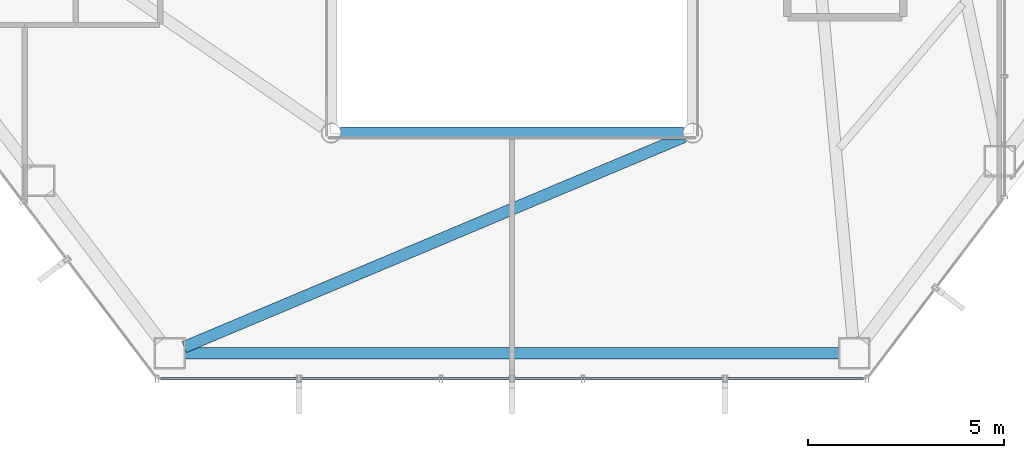
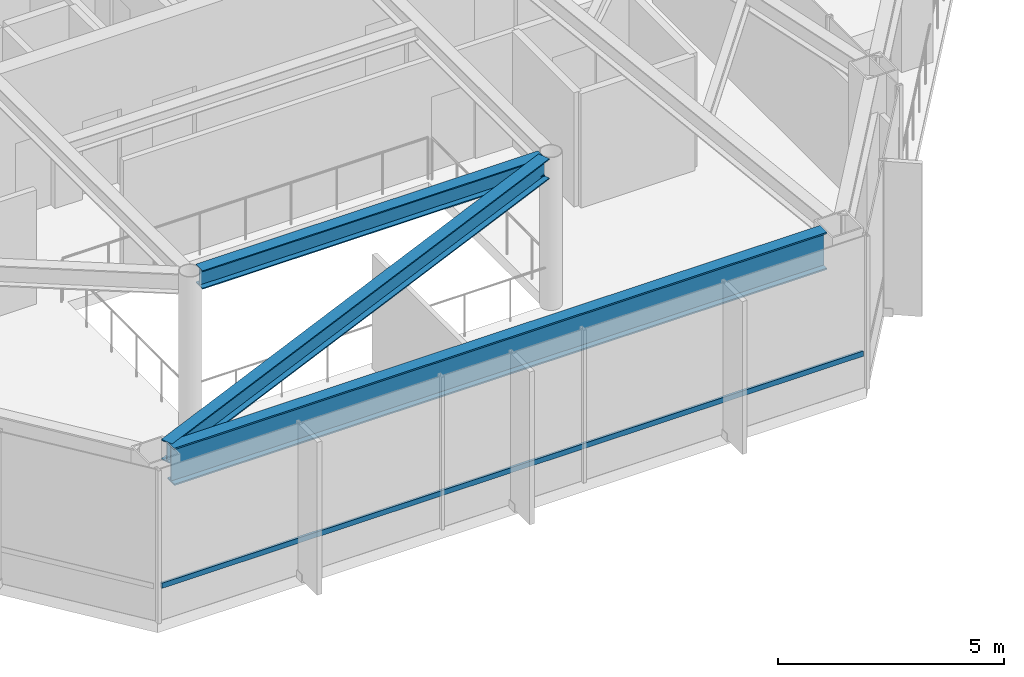
# One storey, part 7 of 27: 3 beams, 1 member, 1 element without a shape of its own.
"""IFC4 building model written with IfcOpenShell, lengths in metres."""

from ifc_helpers import new_model, si_unit, direction, frame, origin, origin_2d, place, context, subcontext, project, spatial, hollow_rectangle, i_section, extrude, material, layer, layer_set, material_profile, profile_set, type_object, element, aggregate, save


model = new_model("IFC4")

# Units and contexts
model_context = context("Model", 3, precision=1e-05, world=origin(), true_north=direction((0.0, 1.0)))
body_context = subcontext(model_context, "Body", "Model", "MODEL_VIEW")
ifc_project = project(units=[si_unit("LENGTHUNIT", "METRE"), si_unit("AREAUNIT", "SQUARE_METRE"), si_unit("VOLUMEUNIT", "CUBIC_METRE"), si_unit("PLANEANGLEUNIT", "RADIAN"), si_unit("MASSUNIT", "GRAM", prefix="KILO")], contexts=[model_context])

# Site, building, storey
site_placement = place(None, origin())
site = spatial("IfcSite", under=ifc_project, at=site_placement, CompositionType="ELEMENT")
building_placement = place(site_placement, origin())
building = spatial("IfcBuilding", under=site, at=building_placement, Name="Zarrinselat Tower", CompositionType="ELEMENT")
storey_placement = place(building_placement, frame((0.0, 0.0, 114.580078125)))
storey = spatial("IfcBuildingStorey", under=building, at=storey_placement, Name="L27", CompositionType="ELEMENT", Elevation=114.580078125)

# Beams
ifc_material_1 = material(Name="Steel S355J2", Category="steel")
ifc_material_profile_1 = material_profile(ifc_material_1, i_section(OverallWidth=0.300048828125, OverallDepth=0.5, WebThickness=0.014404296875, FlangeThickness=0.028076171875, at=origin_2d()), Name="HEB 500")
ifc_profile_set_1 = profile_set([ifc_material_profile_1], Name="Steel S355J2")
beam_type_1 = type_object("IfcBeamType", Name="BM-HEB500", PredefinedType="BEAM", material=ifc_profile_set_1)
beam_1_placement = place(storey_placement, frame((34.0400390625, 24.39990234375, 3.869873046875), z_axis=(1.0, 0.0, 0.0), x_axis=(0.0, 1.0, 0.0)))
element("IfcBeam", 1, at=beam_1_placement, inside=storey, type_object=beam_type_1, Name="L27 Atrium Edge Beam S", PredefinedType="BEAM", context=body_context, shape_type="SweptSolid", body=[
    extrude(i_section(OverallWidth=0.300048828125, OverallDepth=0.5, WebThickness=0.014404296875, FlangeThickness=0.028076171875, at=origin_2d()), origin(), (0.0, 0.0, 1.0), 8.719970703125),
])
ifc_material_2 = material(Name="Steel S355J2", Category="steel")
ifc_material_profile_2 = material_profile(ifc_material_2, i_section(OverallWidth=0.300048828125, OverallDepth=0.550048828125, WebThickness=0.014892578125, FlangeThickness=0.029052734375, at=origin_2d()), Name="HEB 550")
ifc_profile_set_2 = profile_set([ifc_material_profile_2], Name="Steel S355J2")
beam_type_2 = type_object("IfcBeamType", Name="BM-HEB550", PredefinedType="BEAM", material=ifc_profile_set_2)
beam_2_placement = place(storey_placement, frame((30.061279296875, 18.953125, 3.844970703125), z_axis=(0.921661036703, 0.387996048206, 0.0), x_axis=(-0.387996048206, 0.921661036703, 0.0)))
element("IfcBeam", 2, at=beam_2_placement, inside=storey, type_object=beam_type_2, Name="L27 Radial Primary Girder RG10", PredefinedType="BEAM", context=body_context, shape_type="SweptSolid", body=[
    extrude(i_section(OverallWidth=0.300048828125, OverallDepth=0.550048828125, WebThickness=0.014892578125, FlangeThickness=0.029052734375, at=origin_2d()), origin(), (0.0, 0.0, 1.0), 13.788330078125),
])
ifc_material_3 = material(Name="Steel S460M", Category="steel")
ifc_material_profile_3 = material_profile(ifc_material_3, i_section(OverallWidth=0.302001953125, OverallDepth=1.008056640625, WebThickness=0.02099609375, FlangeThickness=0.0400390625, at=origin_2d()), Name="HEM 1000")
ifc_profile_set_3 = profile_set([ifc_material_profile_3], Name="Steel S460M")
beam_type_3 = type_object("IfcBeamType", Name="BM-HEM1000", PredefinedType="BEAM", material=ifc_profile_set_3)
beam_3_placement = place(storey_placement, frame((30.07861328125, 18.797119140625, 3.615966796875), z_axis=(1.0, 0.0, 0.0), x_axis=(0.0, 1.0, 0.0)))
element("IfcBeam", 3, at=beam_3_placement, inside=storey, type_object=beam_type_3, Name="L27 Perimeter Spandrel Girder SP10", PredefinedType="BEAM", context=body_context, shape_type="SweptSolid", body=[
    extrude(i_section(OverallWidth=0.302001953125, OverallDepth=1.008056640625, WebThickness=0.02099609375, FlangeThickness=0.0400390625, at=origin_2d()), origin(), (0.0, 0.0, 1.0), 16.642578125),
])

# Curtain wall, member
ifc_material_4 = material(Name="Extruded Aluminium Alloy EN AW-6063 T6", Category="aluminium")
ifc_layer = layer(ifc_material_4, 0.195068359375)
ifc_layer_set = layer_set([ifc_layer], Name="Extruded Aluminium Alloy EN AW-6063 T6")
curtain_wall_type = type_object("IfcCurtainWallType", Name="CWS-GDN", PredefinedType="NOTDEFINED", material=ifc_layer_set)
curtain_wall_placement = place(storey_placement, origin())
curtain_wall = element("IfcCurtainWall", 4, at=curtain_wall_placement, inside=storey, type_object=curtain_wall_type, Name="L27 Unitised Curtain Wall CW-L27-E01", PredefinedType="NOTDEFINED")
ifc_material_5 = material(Name="Extruded Aluminium Alloy EN AW-6063 T6", Category="aluminium")
ifc_material_profile_4 = material_profile(ifc_material_5, hollow_rectangle(XDim=0.06005859375, YDim=0.139892578125, WallThickness=0.00390625, at=origin_2d()), Name="RHS 140x60x4")
ifc_profile_set_4 = profile_set([ifc_material_profile_4], Name="Extruded Aluminium Alloy EN AW-6063 T6")
member_type = type_object("IfcMemberType", Name="MEM-CW-TRN", PredefinedType="USERDEFINED", material=ifc_profile_set_4)
member_placement = place(storey_placement, frame((47.34228515625, 18.147216796875, 0.949951171875), z_axis=(-1.0, 0.0, 0.0), x_axis=(0.0, -1.0, 0.0)))
member = element("IfcMember", 5, at=member_placement, type_object=member_type, Name="CW-L27-E01 Transom 1", ObjectType="TRANSOM", PredefinedType="USERDEFINED", context=body_context, shape_type="SweptSolid", body=[
    extrude(hollow_rectangle(XDim=0.06005859375, YDim=0.139892578125, WallThickness=0.00390625, at=origin_2d()), origin(), (0.0, 0.0, 1.0), 17.884521484375),
])
aggregate(curtain_wall, [member])

save(model, "model.ifc")
